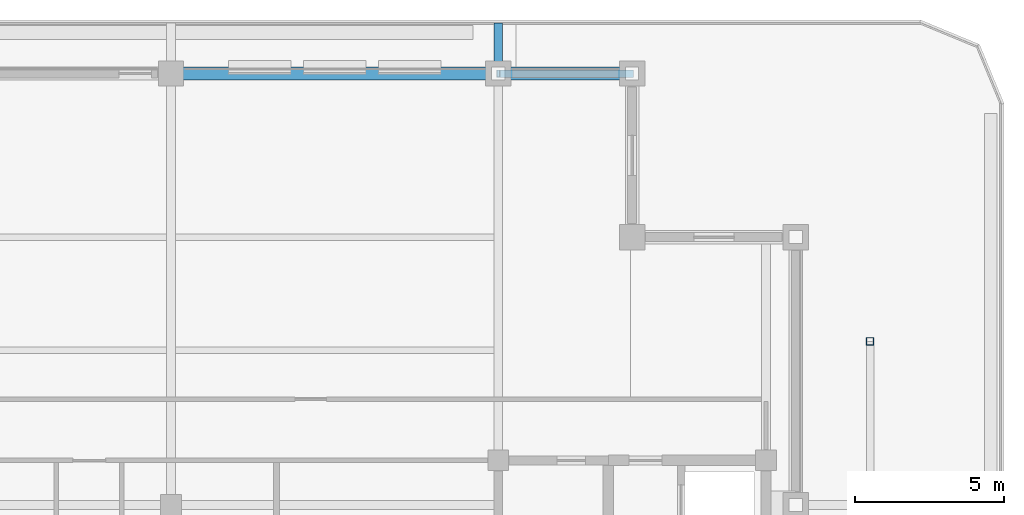
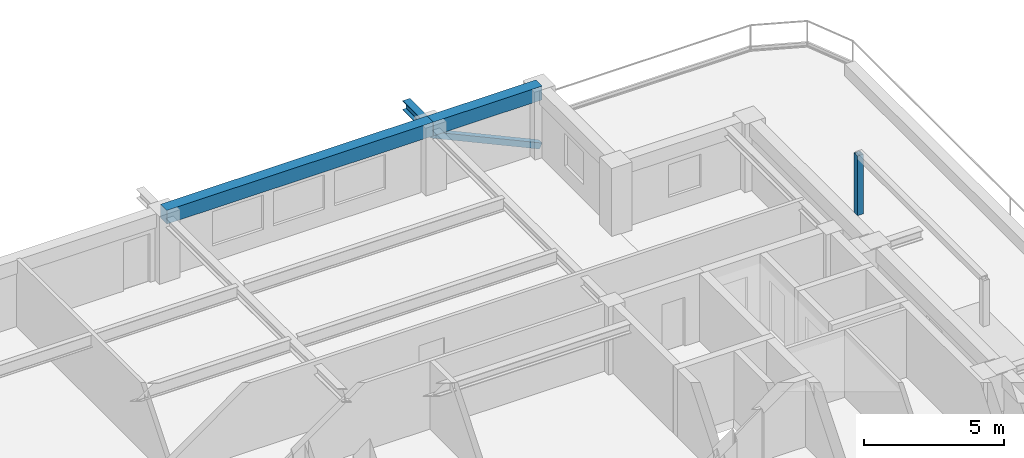
# One storey, part 4 of 14: 3 beams, 2 members.
"""IFC4 building model written with IfcOpenShell, lengths in metres."""

from ifc_helpers import new_model, si_unit, direction, frame, origin, origin_2d, place, context, subcontext, project, spatial, rectangle, hollow_rectangle, i_section, extrude, material, material_profile, profile_set, type_object, element, save


model = new_model("IFC4")

# Units and contexts
model_context = context("Model", 3, precision=1e-05, world=origin(), true_north=direction((0.0, 1.0)))
body_context = subcontext(model_context, "Body", "Model", "MODEL_VIEW")
ifc_project = project(units=[si_unit("LENGTHUNIT", "METRE"), si_unit("AREAUNIT", "SQUARE_METRE"), si_unit("VOLUMEUNIT", "CUBIC_METRE"), si_unit("PLANEANGLEUNIT", "RADIAN"), si_unit("MASSUNIT", "GRAM", prefix="KILO")], contexts=[model_context])

# Site, building, storey
site_placement = place(None, origin())
site = spatial("IfcSite", under=ifc_project, at=site_placement, CompositionType="ELEMENT")
building_placement = place(site_placement, origin())
building = spatial("IfcBuilding", under=site, at=building_placement, Name="Zulmaris Gate Convention Tower", CompositionType="ELEMENT")
storey_placement = place(building_placement, frame((0.0, 0.0, 254.429931640625)))
storey = spatial("IfcBuildingStorey", under=building, at=storey_placement, Name="L67", CompositionType="ELEMENT", Elevation=254.429931640625)

# Beams
ifc_material_1 = material(Name="Steel S355", Category="steel")
ifc_material_profile_1 = material_profile(ifc_material_1, i_section(OverallWidth=0.300048828125, OverallDepth=0.39990234375, WebThickness=0.013427734375, FlangeThickness=0.02392578125, FilletRadius=0.027099609375, at=origin_2d()), Name="HEB 400")
ifc_profile_set_1 = profile_set([ifc_material_profile_1], Name="Steel S355")
beam_type_1 = type_object("IfcBeamType", Name="BM-HEB400", PredefinedType="BEAM", material=ifc_profile_set_1)
beam_1_placement = place(storey_placement, frame((11.0, 23.5, 2.60302734375), z_axis=(0.0, 1.0, 0.0), x_axis=(-1.0, 0.0, 0.0)))
element("IfcBeam", 1, at=beam_1_placement, inside=storey, type_object=beam_type_1, Name="L67 Beam TBRK-L67-N-+11", PredefinedType="BEAM", context=body_context, shape_type="SweptSolid", body=[
    extrude(i_section(OverallWidth=0.300048828125, OverallDepth=0.39990234375, WebThickness=0.013427734375, FlangeThickness=0.02392578125, FilletRadius=0.027099609375, at=origin_2d()), origin(), (0.0, 0.0, 1.0), 1.699951171875),
])
ifc_material_2 = material(Name="Precast concrete C50/60", Category="concrete")
ifc_material_profile_2 = material_profile(ifc_material_2, rectangle(XDim=0.449951171875, YDim=0.60009765625, at=origin_2d()), Name="RC SPANDREL 450x600")
ifc_profile_set_2 = profile_set([ifc_material_profile_2], Name="Precast concrete C50/60")
beam_type_2 = type_object("IfcBeamType", Name="BM-SP450x600", PredefinedType="SPANDREL", material=ifc_profile_set_2)
beam_2_placement = place(storey_placement, frame((15.5, 23.5, 2.679931640625), z_axis=(-1.0, 0.0, 0.0), x_axis=(0.0, -1.0, 0.0)))
element("IfcBeam", 2, at=beam_2_placement, inside=storey, type_object=beam_type_2, Name="L67 Spandrel SP-L67-13", PredefinedType="SPANDREL", context=body_context, shape_type="SweptSolid", body=[
    extrude(rectangle(XDim=0.449951171875, YDim=0.60009765625, at=origin_2d()), origin(), (0.0, 0.0, 1.0), 4.5),
])
beam_3_placement = place(storey_placement, frame((11.0, 23.5, 2.679931640625), z_axis=(-1.0, 0.0, 0.0), x_axis=(0.0, -1.0, 0.0)))
element("IfcBeam", 3, at=beam_3_placement, inside=storey, type_object=beam_type_2, Name="L67 Spandrel SP-L67-14", PredefinedType="SPANDREL", context=body_context, shape_type="SweptSolid", body=[
    extrude(rectangle(XDim=0.449951171875, YDim=0.60009765625, at=origin_2d()), origin(), (0.0, 0.0, 1.0), 11.0),
])

# Members
ifc_material_profile_3 = material_profile(ifc_material_1, hollow_rectangle(XDim=0.25, YDim=0.25, WallThickness=0.012451171875, at=origin_2d()), Name="SHS 250x250x12.5")
ifc_profile_set_3 = profile_set([ifc_material_profile_3], Name="Steel S355")
member_type_1 = type_object("IfcMemberType", Name="BR-SHS250", PredefinedType="BRACE", material=ifc_profile_set_3)
member_1_placement = place(storey_placement, frame((15.5, 23.5, 0.300048828125), z_axis=(-0.909270246609, 0.0, 0.41620622128), x_axis=(0.0, -1.0, 0.0)))
element("IfcMember", 4, at=member_1_placement, inside=storey, type_object=member_type_1, Name="L67 Perimeter Tube Diagonal NE-N", PredefinedType="BRACE", context=body_context, shape_type="SweptSolid", body=[
    extrude(hollow_rectangle(XDim=0.25, YDim=0.25, WallThickness=0.012451171875, at=origin_2d()), origin(), (0.0, 0.0, 1.0), 4.948974609375),
])
ifc_material_profile_4 = material_profile(ifc_material_1, hollow_rectangle(XDim=0.25, YDim=0.25, WallThickness=0.012451171875, at=origin_2d()), Name="SHS 250x250x12.5")
ifc_profile_set_4 = profile_set([ifc_material_profile_4], Name="Steel S355")
member_type_2 = type_object("IfcMemberType", Name="ST-SHS250", PredefinedType="STRUT", material=ifc_profile_set_4)
member_2_placement = place(storey_placement, frame((23.5, 14.5, -0.0400390625), z_axis=(0.0, 0.0, 1.0), x_axis=(1.0, 0.0, 0.0)))
element("IfcMember", 5, at=member_2_placement, inside=storey, type_object=member_type_2, Name="L67 Exposed Terrace Planted Pergola Post 2B", PredefinedType="STRUT", context=body_context, shape_type="SweptSolid", body=[
    extrude(hollow_rectangle(XDim=0.25, YDim=0.25, WallThickness=0.012451171875, at=origin_2d()), origin(), (0.0, 0.0, 1.0), 2.60009765625),
])

save(model, "model.ifc")
